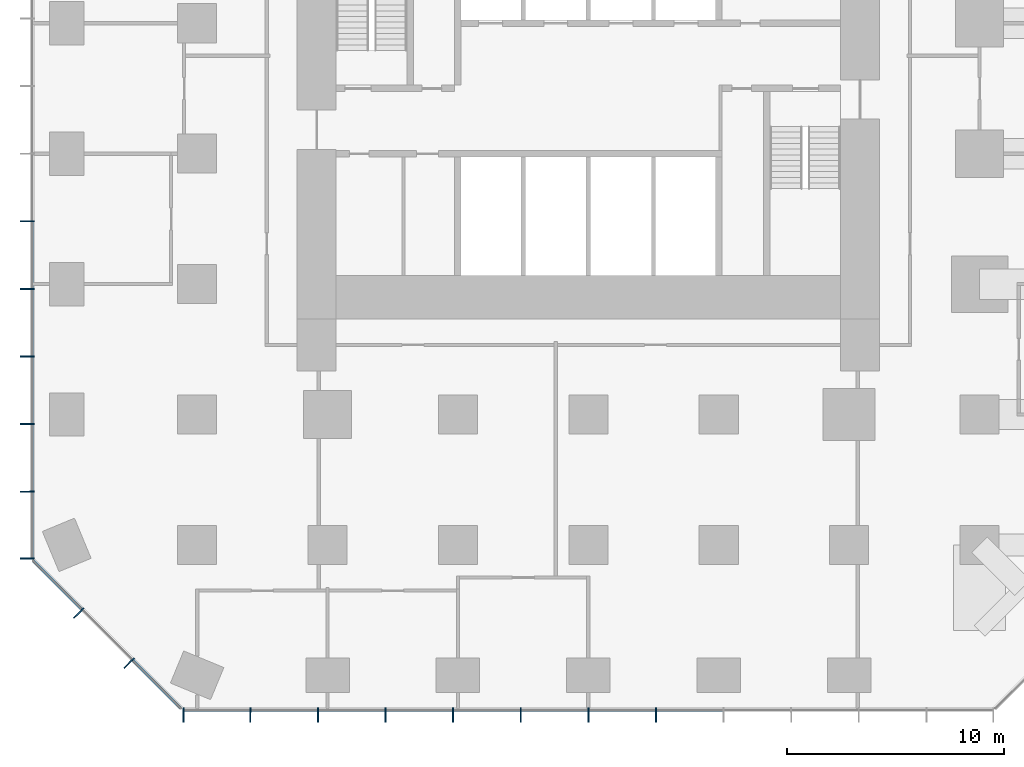
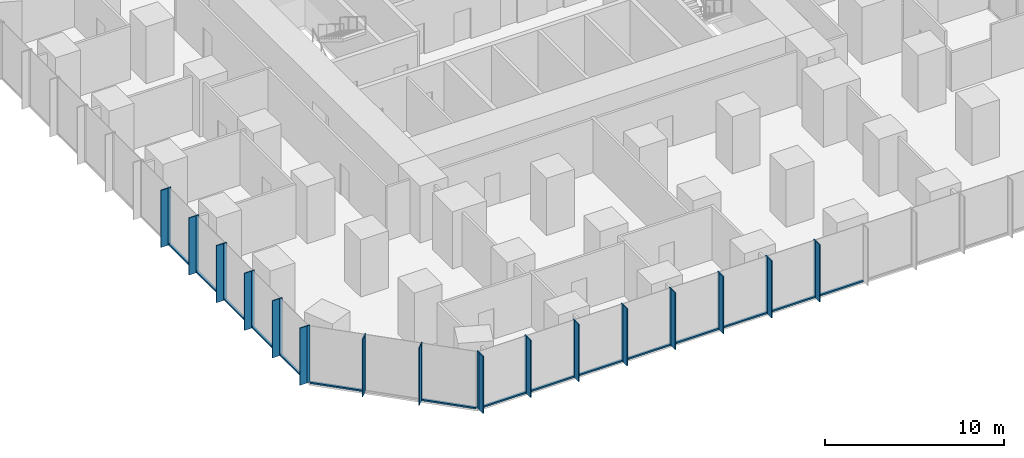
# One storey, part 2 of 12: 47 members, 3 elements without a shape of their own.
"""IFC4 building model written with IfcOpenShell, lengths in metres."""

from ifc_helpers import new_model, si_unit, direction, frame, origin, origin_2d, place, context, subcontext, project, spatial, rectangle, extrude, material, layer, layer_set, material_profile, profile_set, type_object, element, aggregate, save


model = new_model("IFC4")

# Units and contexts
model_context = context("Model", 3, precision=1e-05, world=origin(), true_north=direction((0.0, 1.0)))
body_context = subcontext(model_context, "Body", "Model", "MODEL_VIEW")
ifc_project = project(units=[si_unit("LENGTHUNIT", "METRE"), si_unit("AREAUNIT", "SQUARE_METRE"), si_unit("VOLUMEUNIT", "CUBIC_METRE"), si_unit("PLANEANGLEUNIT", "RADIAN"), si_unit("MASSUNIT", "GRAM", prefix="KILO")], contexts=[model_context])

# Site, building, storey
site_placement = place(None, origin())
site = spatial("IfcSite", under=ifc_project, at=site_placement, CompositionType="ELEMENT")
building_placement = place(site_placement, origin())
building = spatial("IfcBuilding", under=site, at=building_placement, Name="Highveld Stack Headquarters", CompositionType="ELEMENT")
storey_placement = place(building_placement, frame((0.0, 0.0, 45.5)))
storey = spatial("IfcBuildingStorey", under=building, at=storey_placement, Name="L10", CompositionType="ELEMENT", Elevation=45.5)

# Curtain wall, members
ifc_material_1 = material(Name="Aluminium bronze anodised", Category="aluminium")
ifc_layer_1 = layer(ifc_material_1, 0.199951171875)
ifc_layer_set_1 = layer_set([ifc_layer_1], Name="Aluminium bronze anodised")
curtain_wall_type_1 = type_object("IfcCurtainWallType", Name="CW1 TOWER UNITISED CURTAIN WALL", PredefinedType="NOTDEFINED", material=ifc_layer_set_1)
curtain_wall_1_placement = place(storey_placement, origin())
curtain_wall_1 = element("IfcCurtainWall", 1, at=curtain_wall_1_placement, inside=storey, type_object=curtain_wall_type_1, Name="Curtain wall CW1 L10 S", PredefinedType="NOTDEFINED")
ifc_material_2 = material(Name="Aluminium bronze anodised", Category="aluminium")
ifc_material_profile_1 = material_profile(ifc_material_2, rectangle(XDim=0.449951171875, YDim=0.06005859375, at=origin_2d()), Name="FIN 450x60")
ifc_profile_set_1 = profile_set([ifc_material_profile_1], Name="Aluminium bronze anodised")
member_type_1 = type_object("IfcMemberType", Name="CW1 BRONZE FIN 450x60", PredefinedType="USERDEFINED", material=ifc_profile_set_1)
member_1_placement = place(storey_placement, frame((-12.630126953125, -25.925048828125, 0.0), z_axis=(0.0, 0.0, 1.0), x_axis=(0.0, 1.0, 0.0)))
member_1 = element("IfcMember", 2, at=member_1_placement, type_object=member_type_1, Name="CW1 fin L10 1", ObjectType="FIN", PredefinedType="USERDEFINED", context=body_context, shape_type="SweptSolid", body=[
    extrude(rectangle(XDim=0.449951171875, YDim=0.06005859375, at=origin_2d()), origin(), (0.0, 0.0, 1.0), 3.89990234375),
])
member_2_placement = place(storey_placement, frame((-9.55224609375, -25.925048828125, 0.0), z_axis=(0.0, 0.0, 1.0), x_axis=(0.0, 1.0, 0.0)))
member_2 = element("IfcMember", 3, at=member_2_placement, type_object=member_type_1, Name="CW1 fin L10 2", ObjectType="FIN", PredefinedType="USERDEFINED", context=body_context, shape_type="SweptSolid", body=[
    extrude(rectangle(XDim=0.449951171875, YDim=0.06005859375, at=origin_2d()), origin(), (0.0, 0.0, 1.0), 3.89990234375),
])
member_3_placement = place(storey_placement, frame((-6.44189453125, -25.925048828125, 0.0), z_axis=(0.0, 0.0, 1.0), x_axis=(0.0, 1.0, 0.0)))
member_3 = element("IfcMember", 4, at=member_3_placement, type_object=member_type_1, Name="CW1 fin L10 3", ObjectType="FIN", PredefinedType="USERDEFINED", context=body_context, shape_type="SweptSolid", body=[
    extrude(rectangle(XDim=0.449951171875, YDim=0.06005859375, at=origin_2d()), origin(), (0.0, 0.0, 1.0), 3.89990234375),
])
member_4_placement = place(storey_placement, frame((-3.331298828125, -25.925048828125, 0.0), z_axis=(0.0, 0.0, 1.0), x_axis=(0.0, 1.0, 0.0)))
member_4 = element("IfcMember", 5, at=member_4_placement, type_object=member_type_1, Name="CW1 fin L10 4", ObjectType="FIN", PredefinedType="USERDEFINED", context=body_context, shape_type="SweptSolid", body=[
    extrude(rectangle(XDim=0.449951171875, YDim=0.06005859375, at=origin_2d()), origin(), (0.0, 0.0, 1.0), 3.89990234375),
])
member_5_placement = place(storey_placement, frame((-0.220947265625, -25.925048828125, 0.0), z_axis=(0.0, 0.0, 1.0), x_axis=(0.0, 1.0, 0.0)))
member_5 = element("IfcMember", 6, at=member_5_placement, type_object=member_type_1, Name="CW1 fin L10 5", ObjectType="FIN", PredefinedType="USERDEFINED", context=body_context, shape_type="SweptSolid", body=[
    extrude(rectangle(XDim=0.449951171875, YDim=0.06005859375, at=origin_2d()), origin(), (0.0, 0.0, 1.0), 3.89990234375),
])
member_6_placement = place(storey_placement, frame((2.8896484375, -25.925048828125, 0.0), z_axis=(0.0, 0.0, 1.0), x_axis=(0.0, 1.0, 0.0)))
member_6 = element("IfcMember", 7, at=member_6_placement, type_object=member_type_1, Name="CW1 fin L10 6", ObjectType="FIN", PredefinedType="USERDEFINED", context=body_context, shape_type="SweptSolid", body=[
    extrude(rectangle(XDim=0.449951171875, YDim=0.06005859375, at=origin_2d()), origin(), (0.0, 0.0, 1.0), 3.89990234375),
])
member_7_placement = place(storey_placement, frame((6.0, -25.925048828125, 0.0), z_axis=(0.0, 0.0, 1.0), x_axis=(0.0, 1.0, 0.0)))
member_7 = element("IfcMember", 8, at=member_7_placement, type_object=member_type_1, Name="CW1 fin L10 7", ObjectType="FIN", PredefinedType="USERDEFINED", context=body_context, shape_type="SweptSolid", body=[
    extrude(rectangle(XDim=0.449951171875, YDim=0.06005859375, at=origin_2d()), origin(), (0.0, 0.0, 1.0), 3.89990234375),
])
member_8_placement = place(storey_placement, frame((9.110595703125, -25.925048828125, 0.0), z_axis=(0.0, 0.0, 1.0), x_axis=(0.0, 1.0, 0.0)))
member_8 = element("IfcMember", 9, at=member_8_placement, type_object=member_type_1, Name="CW1 fin L10 8", ObjectType="FIN", PredefinedType="USERDEFINED", context=body_context, shape_type="SweptSolid", body=[
    extrude(rectangle(XDim=0.449951171875, YDim=0.06005859375, at=origin_2d()), origin(), (0.0, 0.0, 1.0), 3.89990234375),
])

curtain_wall_2_placement = place(storey_placement, origin())
curtain_wall_2 = element("IfcCurtainWall", 10, at=curtain_wall_2_placement, inside=storey, type_object=curtain_wall_type_1, Name="Curtain wall CW1 L10 W", PredefinedType="NOTDEFINED")
member_9_placement = place(storey_placement, frame((-19.925048828125, -3.110595703125, 0.0), z_axis=(0.0, 0.0, 1.0), x_axis=(1.0, 0.0, 0.0)))
member_9 = element("IfcMember", 11, at=member_9_placement, type_object=member_type_1, Name="CW1 fin L10 8", ObjectType="FIN", PredefinedType="USERDEFINED", context=body_context, shape_type="SweptSolid", body=[
    extrude(rectangle(XDim=0.449951171875, YDim=0.06005859375, at=origin_2d()), origin(), (0.0, 0.0, 1.0), 3.89990234375),
])
member_10_placement = place(storey_placement, frame((-19.925048828125, -6.220947265625, 0.0), z_axis=(0.0, 0.0, 1.0), x_axis=(1.0, 0.0, 0.0)))
member_10 = element("IfcMember", 12, at=member_10_placement, type_object=member_type_1, Name="CW1 fin L10 9", ObjectType="FIN", PredefinedType="USERDEFINED", context=body_context, shape_type="SweptSolid", body=[
    extrude(rectangle(XDim=0.449951171875, YDim=0.06005859375, at=origin_2d()), origin(), (0.0, 0.0, 1.0), 3.89990234375),
])
member_11_placement = place(storey_placement, frame((-19.925048828125, -9.331298828125, 0.0), z_axis=(0.0, 0.0, 1.0), x_axis=(1.0, 0.0, 0.0)))
member_11 = element("IfcMember", 13, at=member_11_placement, type_object=member_type_1, Name="CW1 fin L10 10", ObjectType="FIN", PredefinedType="USERDEFINED", context=body_context, shape_type="SweptSolid", body=[
    extrude(rectangle(XDim=0.449951171875, YDim=0.06005859375, at=origin_2d()), origin(), (0.0, 0.0, 1.0), 3.89990234375),
])
member_12_placement = place(storey_placement, frame((-19.925048828125, -12.44189453125, 0.0), z_axis=(0.0, 0.0, 1.0), x_axis=(1.0, 0.0, 0.0)))
member_12 = element("IfcMember", 14, at=member_12_placement, type_object=member_type_1, Name="CW1 fin L10 11", ObjectType="FIN", PredefinedType="USERDEFINED", context=body_context, shape_type="SweptSolid", body=[
    extrude(rectangle(XDim=0.449951171875, YDim=0.06005859375, at=origin_2d()), origin(), (0.0, 0.0, 1.0), 3.89990234375),
])
member_13_placement = place(storey_placement, frame((-19.925048828125, -15.55224609375, 0.0), z_axis=(0.0, 0.0, 1.0), x_axis=(1.0, 0.0, 0.0)))
member_13 = element("IfcMember", 15, at=member_13_placement, type_object=member_type_1, Name="CW1 fin L10 12", ObjectType="FIN", PredefinedType="USERDEFINED", context=body_context, shape_type="SweptSolid", body=[
    extrude(rectangle(XDim=0.449951171875, YDim=0.06005859375, at=origin_2d()), origin(), (0.0, 0.0, 1.0), 3.89990234375),
])
member_14_placement = place(storey_placement, frame((-19.925048828125, -18.630126953125, 0.0), z_axis=(0.0, 0.0, 1.0), x_axis=(1.0, 0.0, 0.0)))
member_14 = element("IfcMember", 16, at=member_14_placement, type_object=member_type_1, Name="CW1 fin L10 13", ObjectType="FIN", PredefinedType="USERDEFINED", context=body_context, shape_type="SweptSolid", body=[
    extrude(rectangle(XDim=0.449951171875, YDim=0.06005859375, at=origin_2d()), origin(), (0.0, 0.0, 1.0), 3.89990234375),
])

# Member
ifc_material_3 = material(Name="Aluminium bronze anodised", Category="aluminium")
ifc_material_profile_2 = material_profile(ifc_material_3, rectangle(XDim=0.199951171875, YDim=0.06494140625, at=origin_2d()), Name="CW1 MULLION 65x200")
ifc_profile_set_2 = profile_set([ifc_material_profile_2], Name="Aluminium bronze anodised")
member_type_2 = type_object("IfcMemberType", Name="CW1 MULLION 65x200", PredefinedType="MULLION", material=ifc_profile_set_2)
member_15_placement = place(storey_placement, frame((-12.630126953125, -25.60009765625, 0.0), z_axis=(0.0, 0.0, 1.0), x_axis=(0.0, 1.0, 0.0)))
member_15 = element("IfcMember", 17, at=member_15_placement, type_object=member_type_2, Name="CW1 mullion L10 1", PredefinedType="MULLION", context=body_context, shape_type="SweptSolid", body=[
    extrude(rectangle(XDim=0.199951171875, YDim=0.06494140625, at=origin_2d()), origin(), (0.0, 0.0, 1.0), 3.89990234375),
])

member_16_placement = place(storey_placement, frame((-9.55224609375, -25.60009765625, 0.0), z_axis=(0.0, 0.0, 1.0), x_axis=(0.0, 1.0, 0.0)))
member_16 = element("IfcMember", 18, at=member_16_placement, type_object=member_type_2, Name="CW1 mullion L10 2", PredefinedType="MULLION", context=body_context, shape_type="SweptSolid", body=[
    extrude(rectangle(XDim=0.199951171875, YDim=0.06494140625, at=origin_2d()), origin(), (0.0, 0.0, 1.0), 3.89990234375),
])

member_17_placement = place(storey_placement, frame((-6.44189453125, -25.60009765625, 0.0), z_axis=(0.0, 0.0, 1.0), x_axis=(0.0, 1.0, 0.0)))
member_17 = element("IfcMember", 19, at=member_17_placement, type_object=member_type_2, Name="CW1 mullion L10 3", PredefinedType="MULLION", context=body_context, shape_type="SweptSolid", body=[
    extrude(rectangle(XDim=0.199951171875, YDim=0.06494140625, at=origin_2d()), origin(), (0.0, 0.0, 1.0), 3.89990234375),
])

member_18_placement = place(storey_placement, frame((-3.331298828125, -25.60009765625, 0.0), z_axis=(0.0, 0.0, 1.0), x_axis=(0.0, 1.0, 0.0)))
member_18 = element("IfcMember", 20, at=member_18_placement, type_object=member_type_2, Name="CW1 mullion L10 4", PredefinedType="MULLION", context=body_context, shape_type="SweptSolid", body=[
    extrude(rectangle(XDim=0.199951171875, YDim=0.06494140625, at=origin_2d()), origin(), (0.0, 0.0, 1.0), 3.89990234375),
])

member_19_placement = place(storey_placement, frame((-0.220947265625, -25.60009765625, 0.0), z_axis=(0.0, 0.0, 1.0), x_axis=(0.0, 1.0, 0.0)))
member_19 = element("IfcMember", 21, at=member_19_placement, type_object=member_type_2, Name="CW1 mullion L10 5", PredefinedType="MULLION", context=body_context, shape_type="SweptSolid", body=[
    extrude(rectangle(XDim=0.199951171875, YDim=0.06494140625, at=origin_2d()), origin(), (0.0, 0.0, 1.0), 3.89990234375),
])

member_20_placement = place(storey_placement, frame((2.8896484375, -25.60009765625, 0.0), z_axis=(0.0, 0.0, 1.0), x_axis=(0.0, 1.0, 0.0)))
member_20 = element("IfcMember", 22, at=member_20_placement, type_object=member_type_2, Name="CW1 mullion L10 6", PredefinedType="MULLION", context=body_context, shape_type="SweptSolid", body=[
    extrude(rectangle(XDim=0.199951171875, YDim=0.06494140625, at=origin_2d()), origin(), (0.0, 0.0, 1.0), 3.89990234375),
])

member_21_placement = place(storey_placement, frame((6.0, -25.60009765625, 0.0), z_axis=(0.0, 0.0, 1.0), x_axis=(0.0, 1.0, 0.0)))
member_21 = element("IfcMember", 23, at=member_21_placement, type_object=member_type_2, Name="CW1 mullion L10 7", PredefinedType="MULLION", context=body_context, shape_type="SweptSolid", body=[
    extrude(rectangle(XDim=0.199951171875, YDim=0.06494140625, at=origin_2d()), origin(), (0.0, 0.0, 1.0), 3.89990234375),
])

member_22_placement = place(storey_placement, frame((9.110595703125, -25.60009765625, 0.0), z_axis=(0.0, 0.0, 1.0), x_axis=(0.0, 1.0, 0.0)))
member_22 = element("IfcMember", 24, at=member_22_placement, type_object=member_type_2, Name="CW1 mullion L10 8", PredefinedType="MULLION", context=body_context, shape_type="SweptSolid", body=[
    extrude(rectangle(XDim=0.199951171875, YDim=0.06494140625, at=origin_2d()), origin(), (0.0, 0.0, 1.0), 3.89990234375),
])

member_23_placement = place(storey_placement, frame((-19.60009765625, -3.110595703125, 0.0), z_axis=(0.0, 0.0, 1.0), x_axis=(1.0, 0.0, 0.0)))
member_23 = element("IfcMember", 25, at=member_23_placement, type_object=member_type_2, Name="CW1 mullion L10 8", PredefinedType="MULLION", context=body_context, shape_type="SweptSolid", body=[
    extrude(rectangle(XDim=0.199951171875, YDim=0.06494140625, at=origin_2d()), origin(), (0.0, 0.0, 1.0), 3.89990234375),
])

member_24_placement = place(storey_placement, frame((-19.60009765625, -6.220947265625, 0.0), z_axis=(0.0, 0.0, 1.0), x_axis=(1.0, 0.0, 0.0)))
member_24 = element("IfcMember", 26, at=member_24_placement, type_object=member_type_2, Name="CW1 mullion L10 9", PredefinedType="MULLION", context=body_context, shape_type="SweptSolid", body=[
    extrude(rectangle(XDim=0.199951171875, YDim=0.06494140625, at=origin_2d()), origin(), (0.0, 0.0, 1.0), 3.89990234375),
])

member_25_placement = place(storey_placement, frame((-19.60009765625, -9.331298828125, 0.0), z_axis=(0.0, 0.0, 1.0), x_axis=(1.0, 0.0, 0.0)))
member_25 = element("IfcMember", 27, at=member_25_placement, type_object=member_type_2, Name="CW1 mullion L10 10", PredefinedType="MULLION", context=body_context, shape_type="SweptSolid", body=[
    extrude(rectangle(XDim=0.199951171875, YDim=0.06494140625, at=origin_2d()), origin(), (0.0, 0.0, 1.0), 3.89990234375),
])

member_26_placement = place(storey_placement, frame((-19.60009765625, -12.44189453125, 0.0), z_axis=(0.0, 0.0, 1.0), x_axis=(1.0, 0.0, 0.0)))
member_26 = element("IfcMember", 28, at=member_26_placement, type_object=member_type_2, Name="CW1 mullion L10 11", PredefinedType="MULLION", context=body_context, shape_type="SweptSolid", body=[
    extrude(rectangle(XDim=0.199951171875, YDim=0.06494140625, at=origin_2d()), origin(), (0.0, 0.0, 1.0), 3.89990234375),
])

member_27_placement = place(storey_placement, frame((-19.60009765625, -15.55224609375, 0.0), z_axis=(0.0, 0.0, 1.0), x_axis=(1.0, 0.0, 0.0)))
member_27 = element("IfcMember", 29, at=member_27_placement, type_object=member_type_2, Name="CW1 mullion L10 12", PredefinedType="MULLION", context=body_context, shape_type="SweptSolid", body=[
    extrude(rectangle(XDim=0.199951171875, YDim=0.06494140625, at=origin_2d()), origin(), (0.0, 0.0, 1.0), 3.89990234375),
])

member_28_placement = place(storey_placement, frame((-19.60009765625, -18.630126953125, 0.0), z_axis=(0.0, 0.0, 1.0), x_axis=(1.0, 0.0, 0.0)))
member_28 = element("IfcMember", 30, at=member_28_placement, type_object=member_type_2, Name="CW1 mullion L10 13", PredefinedType="MULLION", context=body_context, shape_type="SweptSolid", body=[
    extrude(rectangle(XDim=0.199951171875, YDim=0.06494140625, at=origin_2d()), origin(), (0.0, 0.0, 1.0), 3.89990234375),
])

ifc_material_4 = material(Name="Aluminium bronze anodised", Category="aluminium")
ifc_material_profile_3 = material_profile(ifc_material_4, rectangle(XDim=0.14990234375, YDim=0.10009765625, at=origin_2d()), Name="CW1 TRANSOM 150x100")
ifc_profile_set_3 = profile_set([ifc_material_profile_3], Name="Aluminium bronze anodised")
member_type_3 = type_object("IfcMemberType", Name="CW1 STACK TRANSOM 150x100", PredefinedType="USERDEFINED", material=ifc_profile_set_3)
member_29_placement = place(storey_placement, frame((-12.59765625, -25.60009765625, 0.050048828125), z_axis=(1.0, 0.0, 0.0), x_axis=(0.0, 1.0, 0.0)))
member_29 = element("IfcMember", 31, at=member_29_placement, type_object=member_type_3, Name="CW1 transom L10 1.1", ObjectType="TRANSOM", PredefinedType="USERDEFINED", context=body_context, shape_type="SweptSolid", body=[
    extrude(rectangle(XDim=0.14990234375, YDim=0.10009765625, at=origin_2d()), origin(), (0.0, 0.0, 1.0), 3.012939453125),
])

member_30_placement = place(storey_placement, frame((-9.519775390625, -25.60009765625, 0.050048828125), z_axis=(1.0, 0.0, 0.0), x_axis=(0.0, 1.0, 0.0)))
member_30 = element("IfcMember", 32, at=member_30_placement, type_object=member_type_3, Name="CW1 transom L10 2.1", ObjectType="TRANSOM", PredefinedType="USERDEFINED", context=body_context, shape_type="SweptSolid", body=[
    extrude(rectangle(XDim=0.14990234375, YDim=0.10009765625, at=origin_2d()), origin(), (0.0, 0.0, 1.0), 3.04541015625),
])

member_31_placement = place(storey_placement, frame((-6.4091796875, -25.60009765625, 0.050048828125), z_axis=(1.0, 0.0, 0.0), x_axis=(0.0, 1.0, 0.0)))
member_31 = element("IfcMember", 33, at=member_31_placement, type_object=member_type_3, Name="CW1 transom L10 3.1", ObjectType="TRANSOM", PredefinedType="USERDEFINED", context=body_context, shape_type="SweptSolid", body=[
    extrude(rectangle(XDim=0.14990234375, YDim=0.10009765625, at=origin_2d()), origin(), (0.0, 0.0, 1.0), 3.04541015625),
])

member_32_placement = place(storey_placement, frame((-3.298828125, -25.60009765625, 0.050048828125), z_axis=(1.0, 0.0, 0.0), x_axis=(0.0, 1.0, 0.0)))
member_32 = element("IfcMember", 34, at=member_32_placement, type_object=member_type_3, Name="CW1 transom L10 4.1", ObjectType="TRANSOM", PredefinedType="USERDEFINED", context=body_context, shape_type="SweptSolid", body=[
    extrude(rectangle(XDim=0.14990234375, YDim=0.10009765625, at=origin_2d()), origin(), (0.0, 0.0, 1.0), 3.04541015625),
])

member_33_placement = place(storey_placement, frame((-0.1884765625, -25.60009765625, 0.050048828125), z_axis=(1.0, 0.0, 0.0), x_axis=(0.0, 1.0, 0.0)))
member_33 = element("IfcMember", 35, at=member_33_placement, type_object=member_type_3, Name="CW1 transom L10 5.1", ObjectType="TRANSOM", PredefinedType="USERDEFINED", context=body_context, shape_type="SweptSolid", body=[
    extrude(rectangle(XDim=0.14990234375, YDim=0.10009765625, at=origin_2d()), origin(), (0.0, 0.0, 1.0), 3.045654296875),
])

member_34_placement = place(storey_placement, frame((2.922119140625, -25.60009765625, 0.050048828125), z_axis=(1.0, 0.0, 0.0), x_axis=(0.0, 1.0, 0.0)))
member_34 = element("IfcMember", 36, at=member_34_placement, type_object=member_type_3, Name="CW1 transom L10 6.1", ObjectType="TRANSOM", PredefinedType="USERDEFINED", context=body_context, shape_type="SweptSolid", body=[
    extrude(rectangle(XDim=0.14990234375, YDim=0.10009765625, at=origin_2d()), origin(), (0.0, 0.0, 1.0), 3.04541015625),
])

member_35_placement = place(storey_placement, frame((6.032470703125, -25.60009765625, 0.050048828125), z_axis=(1.0, 0.0, 0.0), x_axis=(0.0, 1.0, 0.0)))
member_35 = element("IfcMember", 37, at=member_35_placement, type_object=member_type_3, Name="CW1 transom L10 7.1", ObjectType="TRANSOM", PredefinedType="USERDEFINED", context=body_context, shape_type="SweptSolid", body=[
    extrude(rectangle(XDim=0.14990234375, YDim=0.10009765625, at=origin_2d()), origin(), (0.0, 0.0, 1.0), 3.04541015625),
])

member_36_placement = place(storey_placement, frame((9.14306640625, -25.60009765625, 0.050048828125), z_axis=(1.0, 0.0, 0.0), x_axis=(0.0, 1.0, 0.0)))
member_36 = element("IfcMember", 38, at=member_36_placement, type_object=member_type_3, Name="CW1 transom L10 8.1", ObjectType="TRANSOM", PredefinedType="USERDEFINED", context=body_context, shape_type="SweptSolid", body=[
    extrude(rectangle(XDim=0.14990234375, YDim=0.10009765625, at=origin_2d()), origin(), (0.0, 0.0, 1.0), 3.04541015625),
])

aggregate(curtain_wall_1, [member_15, member_1, member_16, member_2, member_17, member_3, member_18, member_4, member_19, member_5, member_20, member_6, member_21, member_7, member_22, member_8, member_29, member_30, member_31, member_32, member_33, member_34, member_35, member_36])

member_37_placement = place(storey_placement, frame((-19.60009765625, -3.142822265625, 0.050048828125), z_axis=(0.0, -1.0, 0.0), x_axis=(1.0, 0.0, 0.0)))
member_37 = element("IfcMember", 39, at=member_37_placement, type_object=member_type_3, Name="CW1 transom L10 8.1", ObjectType="TRANSOM", PredefinedType="USERDEFINED", context=body_context, shape_type="SweptSolid", body=[
    extrude(rectangle(XDim=0.14990234375, YDim=0.10009765625, at=origin_2d()), origin(), (0.0, 0.0, 1.0), 3.045654296875),
])

member_38_placement = place(storey_placement, frame((-19.60009765625, -6.25341796875, 0.050048828125), z_axis=(0.0, -1.0, 0.0), x_axis=(1.0, 0.0, 0.0)))
member_38 = element("IfcMember", 40, at=member_38_placement, type_object=member_type_3, Name="CW1 transom L10 9.1", ObjectType="TRANSOM", PredefinedType="USERDEFINED", context=body_context, shape_type="SweptSolid", body=[
    extrude(rectangle(XDim=0.14990234375, YDim=0.10009765625, at=origin_2d()), origin(), (0.0, 0.0, 1.0), 3.04541015625),
])

member_39_placement = place(storey_placement, frame((-19.60009765625, -9.36376953125, 0.050048828125), z_axis=(0.0, -1.0, 0.0), x_axis=(1.0, 0.0, 0.0)))
member_39 = element("IfcMember", 41, at=member_39_placement, type_object=member_type_3, Name="CW1 transom L10 10.1", ObjectType="TRANSOM", PredefinedType="USERDEFINED", context=body_context, shape_type="SweptSolid", body=[
    extrude(rectangle(XDim=0.14990234375, YDim=0.10009765625, at=origin_2d()), origin(), (0.0, 0.0, 1.0), 3.04541015625),
])

member_40_placement = place(storey_placement, frame((-19.60009765625, -12.474365234375, 0.050048828125), z_axis=(0.0, -1.0, 0.0), x_axis=(1.0, 0.0, 0.0)))
member_40 = element("IfcMember", 42, at=member_40_placement, type_object=member_type_3, Name="CW1 transom L10 11.1", ObjectType="TRANSOM", PredefinedType="USERDEFINED", context=body_context, shape_type="SweptSolid", body=[
    extrude(rectangle(XDim=0.14990234375, YDim=0.10009765625, at=origin_2d()), origin(), (0.0, 0.0, 1.0), 3.04541015625),
])

member_41_placement = place(storey_placement, frame((-19.60009765625, -15.584716796875, 0.050048828125), z_axis=(0.0, -1.0, 0.0), x_axis=(1.0, 0.0, 0.0)))
member_41 = element("IfcMember", 43, at=member_41_placement, type_object=member_type_3, Name="CW1 transom L10 12.1", ObjectType="TRANSOM", PredefinedType="USERDEFINED", context=body_context, shape_type="SweptSolid", body=[
    extrude(rectangle(XDim=0.14990234375, YDim=0.10009765625, at=origin_2d()), origin(), (0.0, 0.0, 1.0), 3.012939453125),
])

aggregate(curtain_wall_2, [member_23, member_9, member_24, member_10, member_25, member_11, member_26, member_12, member_27, member_13, member_28, member_14, member_37, member_38, member_39, member_40, member_41])

# Curtain wall, members
ifc_material_5 = material(Name="Aluminium bronze anodised", Category="aluminium")
ifc_layer_2 = layer(ifc_material_5, 0.199951171875)
ifc_layer_set_2 = layer_set([ifc_layer_2], Name="Aluminium bronze anodised")
curtain_wall_type_2 = type_object("IfcCurtainWallType", Name="CW2 TOWER CHAMFER UNITISED CURTAIN WALL", PredefinedType="NOTDEFINED", material=ifc_layer_set_2)
curtain_wall_3_placement = place(storey_placement, origin())
curtain_wall_3 = element("IfcCurtainWall", 44, at=curtain_wall_3_placement, inside=storey, type_object=curtain_wall_type_2, Name="Curtain wall CW2 L10 SW", PredefinedType="NOTDEFINED")
ifc_material_6 = material(Name="Aluminium bronze anodised", Category="aluminium")
ifc_material_profile_4 = material_profile(ifc_material_6, rectangle(XDim=0.449951171875, YDim=0.06005859375, at=origin_2d()), Name="FIN 450x60")
ifc_profile_set_4 = profile_set([ifc_material_profile_4], Name="Aluminium bronze anodised")
member_type_4 = type_object("IfcMemberType", Name="CW2 BRONZE FIN 450x60", PredefinedType="USERDEFINED", material=ifc_profile_set_4)
member_42_placement = place(storey_placement, frame((-17.517333984375, -21.204833984375, 0.0), z_axis=(0.0, 0.0, 1.0), x_axis=(0.707106781187, 0.707106781187, 0.0)))
member_42 = element("IfcMember", 45, at=member_42_placement, type_object=member_type_4, Name="CW2 fin L10 1", ObjectType="FIN", PredefinedType="USERDEFINED", context=body_context, shape_type="SweptSolid", body=[
    extrude(rectangle(XDim=0.449951171875, YDim=0.06005859375, at=origin_2d()), origin(), (0.0, 0.0, 1.0), 3.89990234375),
])
member_43_placement = place(storey_placement, frame((-15.204833984375, -23.517333984375, 0.0), z_axis=(0.0, 0.0, 1.0), x_axis=(0.707106781187, 0.707106781187, 0.0)))
member_43 = element("IfcMember", 46, at=member_43_placement, type_object=member_type_4, Name="CW2 fin L10 2", ObjectType="FIN", PredefinedType="USERDEFINED", context=body_context, shape_type="SweptSolid", body=[
    extrude(rectangle(XDim=0.449951171875, YDim=0.06005859375, at=origin_2d()), origin(), (0.0, 0.0, 1.0), 3.89990234375),
])
ifc_material_7 = material(Name="Aluminium bronze anodised", Category="aluminium")
ifc_material_profile_5 = material_profile(ifc_material_7, rectangle(XDim=0.199951171875, YDim=0.06494140625, at=origin_2d()), Name="CW2 MULLION 65x200")
ifc_profile_set_5 = profile_set([ifc_material_profile_5], Name="Aluminium bronze anodised")
member_type_5 = type_object("IfcMemberType", Name="CW2 MULLION 65x200", PredefinedType="MULLION", material=ifc_profile_set_5)
member_44_placement = place(storey_placement, frame((-17.28759765625, -20.97509765625, 0.0), z_axis=(0.0, 0.0, 1.0), x_axis=(0.707106781187, 0.707106781187, 0.0)))
member_44 = element("IfcMember", 47, at=member_44_placement, type_object=member_type_5, Name="CW2 mullion L10 1", PredefinedType="MULLION", context=body_context, shape_type="SweptSolid", body=[
    extrude(rectangle(XDim=0.199951171875, YDim=0.06494140625, at=origin_2d()), origin(), (0.0, 0.0, 1.0), 3.89990234375),
])
member_45_placement = place(storey_placement, frame((-14.97509765625, -23.28759765625, 0.0), z_axis=(0.0, 0.0, 1.0), x_axis=(0.707106781187, 0.707106781187, 0.0)))
member_45 = element("IfcMember", 48, at=member_45_placement, type_object=member_type_5, Name="CW2 mullion L10 2", PredefinedType="MULLION", context=body_context, shape_type="SweptSolid", body=[
    extrude(rectangle(XDim=0.199951171875, YDim=0.06494140625, at=origin_2d()), origin(), (0.0, 0.0, 1.0), 3.89990234375),
])
ifc_material_8 = material(Name="Aluminium bronze anodised", Category="aluminium")
ifc_material_profile_6 = material_profile(ifc_material_8, rectangle(XDim=0.14990234375, YDim=0.10009765625, at=origin_2d()), Name="CW2 TRANSOM 150x100")
ifc_profile_set_6 = profile_set([ifc_material_profile_6], Name="Aluminium bronze anodised")
member_type_6 = type_object("IfcMemberType", Name="CW2 STACK TRANSOM 150x100", PredefinedType="USERDEFINED", material=ifc_profile_set_6)
member_46_placement = place(storey_placement, frame((-19.529296875, -18.7333984375, 0.050048828125), z_axis=(0.707106781187, -0.707106781187, 0.0), x_axis=(0.707106781187, 0.707106781187, 0.0)))
member_46 = element("IfcMember", 49, at=member_46_placement, type_object=member_type_6, Name="CW2 transom L10 1.1", ObjectType="TRANSOM", PredefinedType="USERDEFINED", context=body_context, shape_type="SweptSolid", body=[
    extrude(rectangle(XDim=0.14990234375, YDim=0.10009765625, at=origin_2d()), origin(), (0.0, 0.0, 1.0), 3.1376953125),
])
member_47_placement = place(storey_placement, frame((-14.9521484375, -23.310546875, 0.050048828125), z_axis=(0.707106781187, -0.707106781187, 0.0), x_axis=(0.707106781187, 0.707106781187, 0.0)))
member_47 = element("IfcMember", 50, at=member_47_placement, type_object=member_type_6, Name="CW2 transom L10 3.1", ObjectType="TRANSOM", PredefinedType="USERDEFINED", context=body_context, shape_type="SweptSolid", body=[
    extrude(rectangle(XDim=0.14990234375, YDim=0.10009765625, at=origin_2d()), origin(), (0.0, 0.0, 1.0), 3.1376953125),
])
aggregate(curtain_wall_3, [member_44, member_42, member_45, member_43, member_46, member_47])

save(model, "model.ifc")
